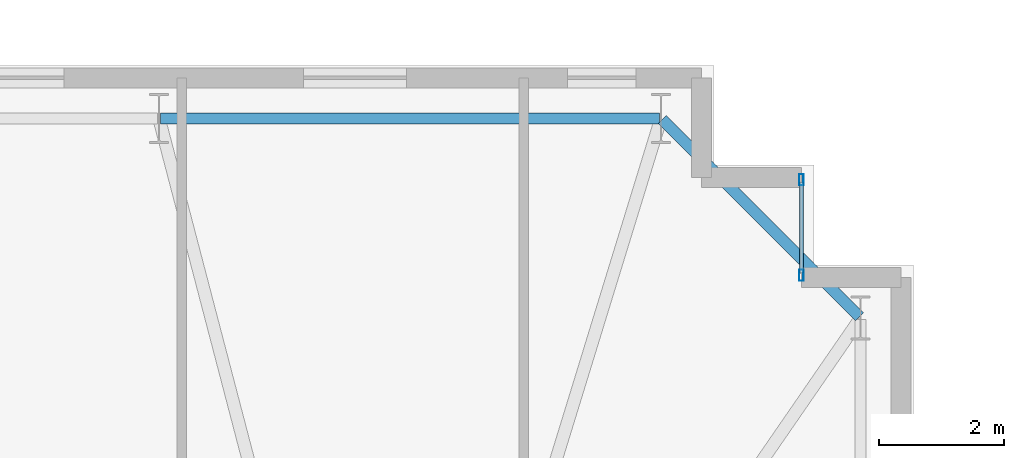
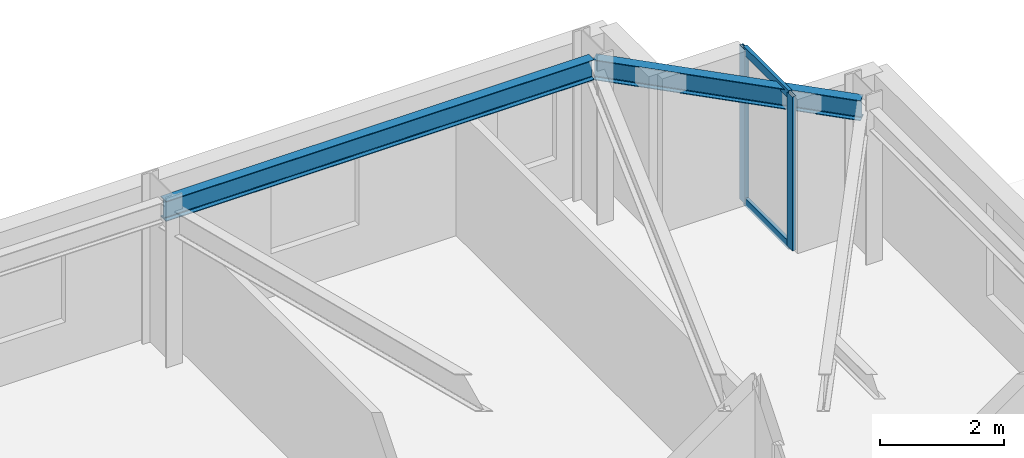
# One storey, part 9 of 19: 4 members, 2 beams, 1 element without a shape of its own.
"""IFC4 building model written with IfcOpenShell, lengths in metres."""

from ifc_helpers import new_model, si_unit, direction, frame, origin, origin_2d, place, context, subcontext, project, spatial, hollow_rectangle, i_section, extrude, material, layer, layer_set, material_profile, profile_set, type_object, element, aggregate, save


model = new_model("IFC4")

# Units and contexts
model_context = context("Model", 3, precision=1e-05, world=origin(), true_north=direction((0.0, 1.0)))
body_context = subcontext(model_context, "Body", "Model", "MODEL_VIEW")
ifc_project = project(units=[si_unit("LENGTHUNIT", "METRE"), si_unit("AREAUNIT", "SQUARE_METRE"), si_unit("VOLUMEUNIT", "CUBIC_METRE"), si_unit("PLANEANGLEUNIT", "RADIAN"), si_unit("MASSUNIT", "GRAM", prefix="KILO")], contexts=[model_context])

# Site, building, storey
site_placement = place(None, origin())
site = spatial("IfcSite", under=ifc_project, at=site_placement, CompositionType="ELEMENT")
building_placement = place(site_placement, origin())
building = spatial("IfcBuilding", under=site, at=building_placement, Name="Qobustan Lattice House", CompositionType="ELEMENT")
storey_placement = place(building_placement, frame((0.0, 0.0, 137.699951171875)))
storey = spatial("IfcBuildingStorey", under=building, at=storey_placement, Name="L38", CompositionType="ELEMENT", Elevation=137.699951171875)

# Beams
ifc_material_1 = material(Name="Steel S355", Category="steel")
ifc_material_profile_1 = material_profile(ifc_material_1, i_section(OverallWidth=0.179931640625, OverallDepth=0.39990234375, WebThickness=0.008544921875, FlangeThickness=0.013427734375, FilletRadius=0.02099609375, at=origin_2d()), Name="IPE400")
ifc_profile_set_1 = profile_set([ifc_material_profile_1], Name="Steel S355")
beam_type = type_object("IfcBeamType", Name="BM-SPD-IPE400", PredefinedType="SPANDREL", material=ifc_profile_set_1)
beam_1_placement = place(storey_placement, frame((26.332275390625, 16.567626953125, 2.840087890625), z_axis=(-0.707079505568, 0.707134055753, 0.0), x_axis=(-0.707134055753, -0.707079505568, 0.0)))
element("IfcBeam", 1, at=beam_1_placement, inside=storey, type_object=beam_type, Name="L38 perimeter spandrel E4-N1", PredefinedType="SPANDREL", context=body_context, shape_type="SweptSolid", body=[
    extrude(i_section(OverallWidth=0.179931640625, OverallDepth=0.39990234375, WebThickness=0.008544921875, FlangeThickness=0.013427734375, FilletRadius=0.02099609375, at=origin_2d()), origin(), (0.0, 0.0, 1.0), 4.4755859375),
])
beam_2_placement = place(storey_placement, frame((23.125, 19.75, 2.840087890625), z_axis=(-1.0, 0.0, 0.0), x_axis=(0.0, -1.0, 0.0)))
element("IfcBeam", 2, at=beam_2_placement, inside=storey, type_object=beam_type, Name="L38 perimeter spandrel N1-N2", PredefinedType="SPANDREL", context=body_context, shape_type="SweptSolid", body=[
    extrude(i_section(OverallWidth=0.179931640625, OverallDepth=0.39990234375, WebThickness=0.008544921875, FlangeThickness=0.013427734375, FilletRadius=0.02099609375, at=origin_2d()), origin(), (0.0, 0.0, 1.0), 8.0),
])

# Curtain wall, members
ifc_material_2 = material(Name="Anodised aluminium and low-E glazing", Category="aluminium")
ifc_layer = layer(ifc_material_2, 0.219970703125)
ifc_layer_set = layer_set([ifc_layer], Name="Anodised aluminium and low-E glazing")
curtain_wall_type = type_object("IfcCurtainWallType", Name="CW-FAC-02", PredefinedType="USERDEFINED", material=ifc_layer_set)
curtain_wall_placement = place(storey_placement, origin())
curtain_wall = element("IfcCurtainWall", 3, at=curtain_wall_placement, inside=storey, type_object=curtain_wall_type, Name="L38 serrated corner faceted glazing 13", ObjectType="CURTAIN WALL", PredefinedType="USERDEFINED")
ifc_material_3 = material(Name="Anodised aluminium EN AW-6063 T6", Category="aluminium")
ifc_material_profile_2 = material_profile(ifc_material_3, hollow_rectangle(XDim=0.070068359375, YDim=0.179931640625, WallThickness=0.00439453125, at=origin_2d()), Name="CWM-180x70")
ifc_profile_set_2 = profile_set([ifc_material_profile_2], Name="Anodised aluminium EN AW-6063 T6")
member_type_1 = type_object("IfcMemberType", Name="CWM-STD-180", PredefinedType="MULLION", material=ifc_profile_set_2)
member_1_placement = place(storey_placement, frame((25.39990234375, 18.764892578125, 0.0), z_axis=(0.0, 0.0, 1.0), x_axis=(1.0, 0.0, 0.0)))
member_1 = element("IfcMember", 4, at=member_1_placement, type_object=member_type_1, Name="CW-F2 mullion 1", PredefinedType="MULLION", context=body_context, shape_type="SweptSolid", body=[
    extrude(hollow_rectangle(XDim=0.070068359375, YDim=0.179931640625, WallThickness=0.00439453125, at=origin_2d()), origin(), (0.0, 0.0, 1.0), 3.0400390625),
])
member_2_placement = place(storey_placement, frame((25.39990234375, 17.235107421875, 0.0), z_axis=(0.0, 0.0, 1.0), x_axis=(1.0, 0.0, 0.0)))
member_2 = element("IfcMember", 5, at=member_2_placement, type_object=member_type_1, Name="CW-F2 mullion 2", PredefinedType="MULLION", context=body_context, shape_type="SweptSolid", body=[
    extrude(hollow_rectangle(XDim=0.070068359375, YDim=0.179931640625, WallThickness=0.00439453125, at=origin_2d()), origin(), (0.0, 0.0, 1.0), 3.0400390625),
])
ifc_material_4 = material(Name="Anodised aluminium EN AW-6063 T6", Category="aluminium")
ifc_material_profile_3 = material_profile(ifc_material_4, hollow_rectangle(XDim=0.06494140625, YDim=0.159912109375, WallThickness=0.00390625, at=origin_2d()), Name="CWT-160x65")
ifc_profile_set_3 = profile_set([ifc_material_profile_3], Name="Anodised aluminium EN AW-6063 T6")
member_type_2 = type_object("IfcMemberType", Name="CWT-HOR-160", PredefinedType="USERDEFINED", material=ifc_profile_set_3)
member_3_placement = place(storey_placement, frame((25.39990234375, 18.72998046875, 0.032470703125), z_axis=(0.0, -1.0, 0.0), x_axis=(1.0, 0.0, 0.0)))
member_3 = element("IfcMember", 6, at=member_3_placement, type_object=member_type_2, Name="CW-F2 transom 1.1", ObjectType="TRANSOM", PredefinedType="USERDEFINED", context=body_context, shape_type="SweptSolid", body=[
    extrude(hollow_rectangle(XDim=0.06494140625, YDim=0.159912109375, WallThickness=0.00390625, at=origin_2d()), origin(), (0.0, 0.0, 1.0), 1.4599609375),
])
member_4_placement = place(storey_placement, frame((25.39990234375, 18.72998046875, 3.007568359375), z_axis=(0.0, -1.0, 0.0), x_axis=(1.0, 0.0, 0.0)))
member_4 = element("IfcMember", 7, at=member_4_placement, type_object=member_type_2, Name="CW-F2 transom 1.2", ObjectType="TRANSOM", PredefinedType="USERDEFINED", context=body_context, shape_type="SweptSolid", body=[
    extrude(hollow_rectangle(XDim=0.06494140625, YDim=0.159912109375, WallThickness=0.00390625, at=origin_2d()), origin(), (0.0, 0.0, 1.0), 1.4599609375),
])
aggregate(curtain_wall, [member_1, member_2, member_3, member_4])

save(model, "model.ifc")
